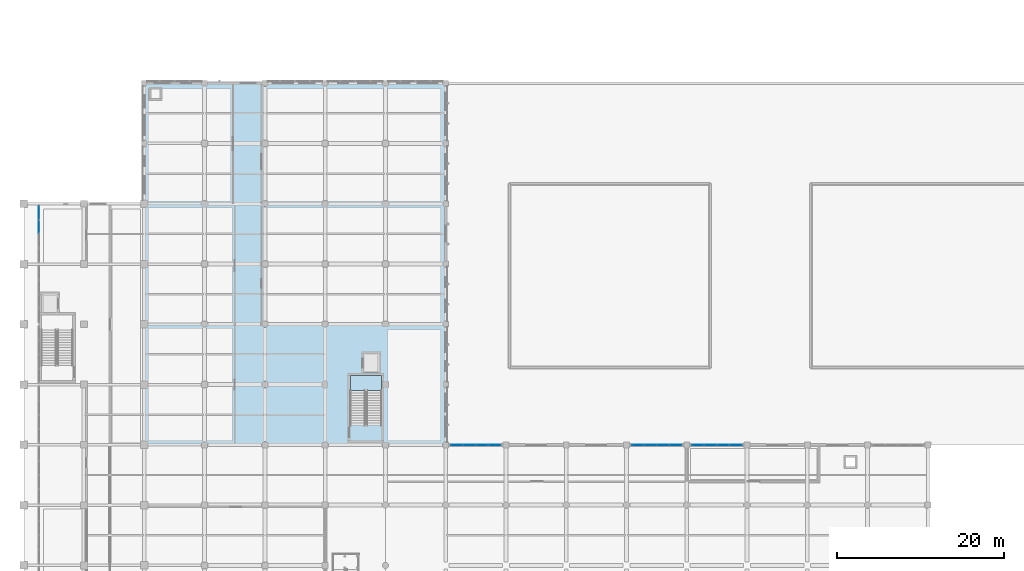
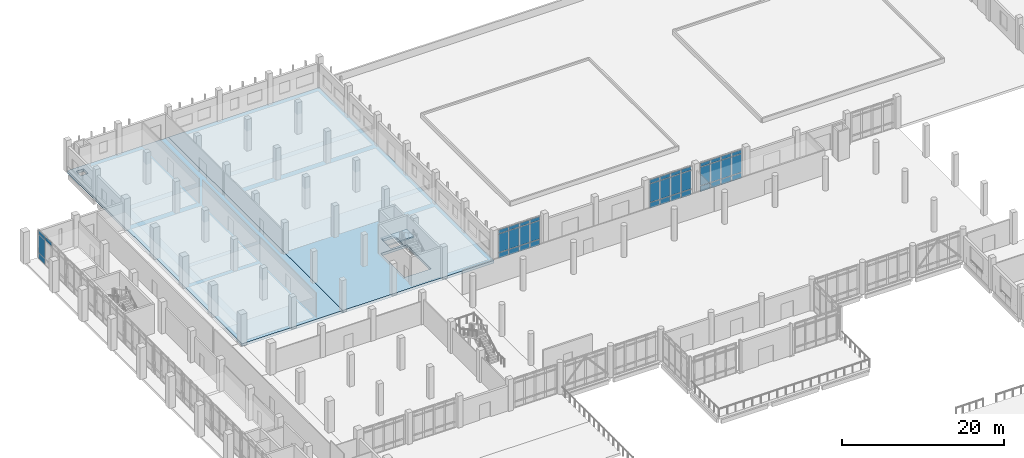
# One storey, part 31 of 59: 40 plates, 3 slabs, 5 elements without a shape of their own.
"""IFC4 building model written with IfcOpenShell, lengths in metres."""

from ifc_helpers import new_model, si_unit, direction, frame, origin, origin_2d, place, context, subcontext, project, spatial, polyline, rectangle, outline, extrude, material, layer, layer_set, type_object, element, aggregate, save


model = new_model("IFC4")

# Units and contexts
model_context = context("Model", 3, precision=1e-05, world=origin(), true_north=direction((0.0, 1.0)))
body_context = subcontext(model_context, "Body", "Model", "MODEL_VIEW")
ifc_project = project(units=[si_unit("LENGTHUNIT", "METRE"), si_unit("AREAUNIT", "SQUARE_METRE"), si_unit("VOLUMEUNIT", "CUBIC_METRE"), si_unit("PLANEANGLEUNIT", "RADIAN"), si_unit("MASSUNIT", "GRAM", prefix="KILO")], contexts=[model_context])

# Site, building, storey
site_placement = place(None, origin())
site = spatial("IfcSite", under=ifc_project, at=site_placement, CompositionType="ELEMENT")
building_placement = place(site_placement, origin())
building = spatial("IfcBuilding", under=site, at=building_placement, Name="Valkovuoma Quantum and Materials Research Institute", CompositionType="ELEMENT")
storey_placement = place(building_placement, origin())
storey = spatial("IfcBuildingStorey", under=building, at=storey_placement, Name="L00", CompositionType="ELEMENT", Elevation=0.0)

# Curtain wall, plates
ifc_material_1 = material(Name="Thermally broken aluminium and triple low-E glazing", Category="aluminium")
ifc_layer_1 = layer(ifc_material_1, 0.219970703125)
ifc_layer_set_1 = layer_set([ifc_layer_1], Name="Thermally broken aluminium and triple low-E glazing")
curtain_wall_type_1 = type_object("IfcCurtainWallType", Name="CW-CW-03", PredefinedType="NOTDEFINED", material=ifc_layer_set_1)
curtain_wall_1_placement = place(storey_placement, origin())
curtain_wall_1 = element("IfcCurtainWall", 1, at=curtain_wall_1_placement, inside=storey, type_object=curtain_wall_type_1, Name="L00 curtain wall 007", PredefinedType="NOTDEFINED")
ifc_material_2 = material(Name="Triple low-E argon insulating glass", Category="glass")
ifc_layer_2 = layer(ifc_material_2, 0.035888671875)
ifc_layer_set_2 = layer_set([ifc_layer_2], Name="Triple low-E argon insulating glass")
plate_type_1 = type_object("IfcPlateType", Name="CWPanel-CWP-01", PredefinedType="CURTAIN_PANEL", material=ifc_layer_set_2)
plate_1_placement = place(storey_placement, frame((1.800048828125, 90.85009765625, 3.78271484375), z_axis=(0.0, 0.0, 1.0), x_axis=(0.0, 1.0, 0.0)))
plate_1 = element("IfcPlate", 2, at=plate_1_placement, type_object=plate_type_1, Name="CW-03 panel 3.3", PredefinedType="CURTAIN_PANEL", context=body_context, shape_type="SweptSolid", body=[
    extrude(rectangle(XDim=1.625, YDim=0.035888671875, at=origin_2d()), origin(), (0.0, 0.0, 1.0), 0.552490234375),
])
plate_2_placement = place(storey_placement, frame((1.800048828125, 92.53125, 0.06494140625), z_axis=(0.0, 0.0, 1.0), x_axis=(0.0, 1.0, 0.0)))
plate_2 = element("IfcPlate", 3, at=plate_2_placement, type_object=plate_type_1, Name="CW-03 panel 4.1", PredefinedType="CURTAIN_PANEL", context=body_context, shape_type="SweptSolid", body=[
    extrude(rectangle(XDim=1.58740234375, YDim=0.035888671875, at=origin_2d()), origin(), (0.0, 0.0, 1.0), 0.8525390625),
])
plate_3_placement = place(storey_placement, frame((1.800048828125, 92.53125, 0.982421875), z_axis=(0.0, 0.0, 1.0), x_axis=(0.0, 1.0, 0.0)))
plate_3 = element("IfcPlate", 4, at=plate_3_placement, type_object=plate_type_1, Name="CW-03 panel 4.2", PredefinedType="CURTAIN_PANEL", context=body_context, shape_type="SweptSolid", body=[
    extrude(rectangle(XDim=1.58740234375, YDim=0.035888671875, at=origin_2d()), origin(), (0.0, 0.0, 1.0), 2.735107421875),
])
plate_4_placement = place(storey_placement, frame((1.800048828125, 92.53125, 3.78271484375), z_axis=(0.0, 0.0, 1.0), x_axis=(0.0, 1.0, 0.0)))
plate_4 = element("IfcPlate", 5, at=plate_4_placement, type_object=plate_type_1, Name="CW-03 panel 4.3", PredefinedType="CURTAIN_PANEL", context=body_context, shape_type="SweptSolid", body=[
    extrude(rectangle(XDim=1.58740234375, YDim=0.035888671875, at=origin_2d()), origin(), (0.0, 0.0, 1.0), 0.552490234375),
])
aggregate(curtain_wall_1, [plate_1, plate_2, plate_3, plate_4])

ifc_material_3 = material(Name="Thermally broken aluminium and triple low-E glazing", Category="aluminium")
ifc_layer_3 = layer(ifc_material_3, 0.219970703125)
ifc_layer_set_3 = layer_set([ifc_layer_3], Name="Thermally broken aluminium and triple low-E glazing")
curtain_wall_type_2 = type_object("IfcCurtainWallType", Name="CW-CW-02", PredefinedType="NOTDEFINED", material=ifc_layer_set_3)
curtain_wall_2_placement = place(storey_placement, origin())
curtain_wall_2 = element("IfcCurtainWall", 6, at=curtain_wall_2_placement, inside=storey, type_object=curtain_wall_type_2, Name="L00 curtain wall 155", PredefinedType="NOTDEFINED")
ifc_material_4 = material(Name="Triple low-E argon insulating glass", Category="glass")
ifc_layer_4 = layer(ifc_material_4, 0.0419921875)
ifc_layer_set_4 = layer_set([ifc_layer_4], Name="Triple low-E argon insulating glass")
plate_type_2 = type_object("IfcPlateType", Name="CWPanel-CWP-02", PredefinedType="CURTAIN_PANEL", material=ifc_layer_set_4)
plate_5_placement = place(storey_placement, frame((51.7548828125, 64.800048828125, 0.074951171875), z_axis=(0.0, 0.0, 1.0), x_axis=(1.0, 0.0, 0.0)))
plate_5 = element("IfcPlate", 7, at=plate_5_placement, type_object=plate_type_2, Name="CW-02 panel 1.1", PredefinedType="CURTAIN_PANEL", context=body_context, shape_type="SweptSolid", body=[
    extrude(rectangle(XDim=1.389892578125, YDim=0.0419921875, at=origin_2d()), origin(), (0.0, 0.0, 1.0), 0.83740234375),
])
plate_6_placement = place(storey_placement, frame((51.7548828125, 64.800048828125, 0.987548828125), z_axis=(0.0, 0.0, 1.0), x_axis=(1.0, 0.0, 0.0)))
plate_6 = element("IfcPlate", 8, at=plate_6_placement, type_object=plate_type_2, Name="CW-02 panel 1.2", PredefinedType="CURTAIN_PANEL", context=body_context, shape_type="SweptSolid", body=[
    extrude(rectangle(XDim=1.389892578125, YDim=0.0419921875, at=origin_2d()), origin(), (0.0, 0.0, 1.0), 2.77490234375),
])
plate_7_placement = place(storey_placement, frame((51.7548828125, 64.800048828125, 3.83740234375), z_axis=(0.0, 0.0, 1.0), x_axis=(1.0, 0.0, 0.0)))
plate_7 = element("IfcPlate", 9, at=plate_7_placement, type_object=plate_type_2, Name="CW-02 panel 1.3", PredefinedType="CURTAIN_PANEL", context=body_context, shape_type="SweptSolid", body=[
    extrude(rectangle(XDim=1.389892578125, YDim=0.0419921875, at=origin_2d()), origin(), (0.0, 0.0, 1.0), 0.53759765625),
])
plate_8_placement = place(storey_placement, frame((53.2451171875, 64.800048828125, 0.074951171875), z_axis=(0.0, 0.0, 1.0), x_axis=(1.0, 0.0, 0.0)))
plate_8 = element("IfcPlate", 10, at=plate_8_placement, type_object=plate_type_2, Name="CW-02 panel 2.1", PredefinedType="CURTAIN_PANEL", context=body_context, shape_type="SweptSolid", body=[
    extrude(rectangle(XDim=1.429931640625, YDim=0.0419921875, at=origin_2d()), origin(), (0.0, 0.0, 1.0), 0.83740234375),
])
plate_9_placement = place(storey_placement, frame((53.2451171875, 64.800048828125, 0.987548828125), z_axis=(0.0, 0.0, 1.0), x_axis=(1.0, 0.0, 0.0)))
plate_9 = element("IfcPlate", 11, at=plate_9_placement, type_object=plate_type_2, Name="CW-02 panel 2.2", PredefinedType="CURTAIN_PANEL", context=body_context, shape_type="SweptSolid", body=[
    extrude(rectangle(XDim=1.429931640625, YDim=0.0419921875, at=origin_2d()), origin(), (0.0, 0.0, 1.0), 2.77490234375),
])
plate_10_placement = place(storey_placement, frame((53.2451171875, 64.800048828125, 3.83740234375), z_axis=(0.0, 0.0, 1.0), x_axis=(1.0, 0.0, 0.0)))
plate_10 = element("IfcPlate", 12, at=plate_10_placement, type_object=plate_type_2, Name="CW-02 panel 2.3", PredefinedType="CURTAIN_PANEL", context=body_context, shape_type="SweptSolid", body=[
    extrude(rectangle(XDim=1.429931640625, YDim=0.0419921875, at=origin_2d()), origin(), (0.0, 0.0, 1.0), 0.53759765625),
])
plate_11_placement = place(storey_placement, frame((54.7548828125, 64.800048828125, 0.074951171875), z_axis=(0.0, 0.0, 1.0), x_axis=(1.0, 0.0, 0.0)))
plate_11 = element("IfcPlate", 13, at=plate_11_placement, type_object=plate_type_2, Name="CW-02 panel 3.1", PredefinedType="CURTAIN_PANEL", context=body_context, shape_type="SweptSolid", body=[
    extrude(rectangle(XDim=1.429931640625, YDim=0.0419921875, at=origin_2d()), origin(), (0.0, 0.0, 1.0), 0.83740234375),
])
plate_12_placement = place(storey_placement, frame((54.7548828125, 64.800048828125, 0.987548828125), z_axis=(0.0, 0.0, 1.0), x_axis=(1.0, 0.0, 0.0)))
plate_12 = element("IfcPlate", 14, at=plate_12_placement, type_object=plate_type_2, Name="CW-02 panel 3.2", PredefinedType="CURTAIN_PANEL", context=body_context, shape_type="SweptSolid", body=[
    extrude(rectangle(XDim=1.429931640625, YDim=0.0419921875, at=origin_2d()), origin(), (0.0, 0.0, 1.0), 2.77490234375),
])
plate_13_placement = place(storey_placement, frame((54.7548828125, 64.800048828125, 3.83740234375), z_axis=(0.0, 0.0, 1.0), x_axis=(1.0, 0.0, 0.0)))
plate_13 = element("IfcPlate", 15, at=plate_13_placement, type_object=plate_type_2, Name="CW-02 panel 3.3", PredefinedType="CURTAIN_PANEL", context=body_context, shape_type="SweptSolid", body=[
    extrude(rectangle(XDim=1.429931640625, YDim=0.0419921875, at=origin_2d()), origin(), (0.0, 0.0, 1.0), 0.53759765625),
])
plate_14_placement = place(storey_placement, frame((56.2451171875, 64.800048828125, 0.074951171875), z_axis=(0.0, 0.0, 1.0), x_axis=(1.0, 0.0, 0.0)))
plate_14 = element("IfcPlate", 16, at=plate_14_placement, type_object=plate_type_2, Name="CW-02 panel 4.1", PredefinedType="CURTAIN_PANEL", context=body_context, shape_type="SweptSolid", body=[
    extrude(rectangle(XDim=1.389892578125, YDim=0.0419921875, at=origin_2d()), origin(), (0.0, 0.0, 1.0), 0.83740234375),
])
plate_15_placement = place(storey_placement, frame((56.2451171875, 64.800048828125, 0.987548828125), z_axis=(0.0, 0.0, 1.0), x_axis=(1.0, 0.0, 0.0)))
plate_15 = element("IfcPlate", 17, at=plate_15_placement, type_object=plate_type_2, Name="CW-02 panel 4.2", PredefinedType="CURTAIN_PANEL", context=body_context, shape_type="SweptSolid", body=[
    extrude(rectangle(XDim=1.389892578125, YDim=0.0419921875, at=origin_2d()), origin(), (0.0, 0.0, 1.0), 2.77490234375),
])
plate_16_placement = place(storey_placement, frame((56.2451171875, 64.800048828125, 3.83740234375), z_axis=(0.0, 0.0, 1.0), x_axis=(1.0, 0.0, 0.0)))
plate_16 = element("IfcPlate", 18, at=plate_16_placement, type_object=plate_type_2, Name="CW-02 panel 4.3", PredefinedType="CURTAIN_PANEL", context=body_context, shape_type="SweptSolid", body=[
    extrude(rectangle(XDim=1.389892578125, YDim=0.0419921875, at=origin_2d()), origin(), (0.0, 0.0, 1.0), 0.53759765625),
])
aggregate(curtain_wall_2, [plate_5, plate_6, plate_7, plate_8, plate_9, plate_10, plate_11, plate_12, plate_13, plate_14, plate_15, plate_16])

curtain_wall_3_placement = place(storey_placement, origin())
curtain_wall_3 = element("IfcCurtainWall", 19, at=curtain_wall_3_placement, inside=storey, type_object=curtain_wall_type_2, Name="L00 curtain wall 156", PredefinedType="NOTDEFINED")
plate_17_placement = place(storey_placement, frame((73.35498046875, 64.800048828125, 0.074951171875), z_axis=(0.0, 0.0, 1.0), x_axis=(1.0, 0.0, 0.0)))
plate_17 = element("IfcPlate", 20, at=plate_17_placement, type_object=plate_type_2, Name="CW-02 panel 1.1", PredefinedType="CURTAIN_PANEL", context=body_context, shape_type="SweptSolid", body=[
    extrude(rectangle(XDim=1.389892578125, YDim=0.0419921875, at=origin_2d()), origin(), (0.0, 0.0, 1.0), 0.83740234375),
])
plate_18_placement = place(storey_placement, frame((73.35498046875, 64.800048828125, 0.987548828125), z_axis=(0.0, 0.0, 1.0), x_axis=(1.0, 0.0, 0.0)))
plate_18 = element("IfcPlate", 21, at=plate_18_placement, type_object=plate_type_2, Name="CW-02 panel 1.2", PredefinedType="CURTAIN_PANEL", context=body_context, shape_type="SweptSolid", body=[
    extrude(rectangle(XDim=1.389892578125, YDim=0.0419921875, at=origin_2d()), origin(), (0.0, 0.0, 1.0), 2.77490234375),
])
plate_19_placement = place(storey_placement, frame((73.35498046875, 64.800048828125, 3.83740234375), z_axis=(0.0, 0.0, 1.0), x_axis=(1.0, 0.0, 0.0)))
plate_19 = element("IfcPlate", 22, at=plate_19_placement, type_object=plate_type_2, Name="CW-02 panel 1.3", PredefinedType="CURTAIN_PANEL", context=body_context, shape_type="SweptSolid", body=[
    extrude(rectangle(XDim=1.389892578125, YDim=0.0419921875, at=origin_2d()), origin(), (0.0, 0.0, 1.0), 0.53759765625),
])
plate_20_placement = place(storey_placement, frame((74.844970703125, 64.800048828125, 0.074951171875), z_axis=(0.0, 0.0, 1.0), x_axis=(1.0, 0.0, 0.0)))
plate_20 = element("IfcPlate", 23, at=plate_20_placement, type_object=plate_type_2, Name="CW-02 panel 2.1", PredefinedType="CURTAIN_PANEL", context=body_context, shape_type="SweptSolid", body=[
    extrude(rectangle(XDim=1.429931640625, YDim=0.0419921875, at=origin_2d()), origin(), (0.0, 0.0, 1.0), 0.83740234375),
])
plate_21_placement = place(storey_placement, frame((74.844970703125, 64.800048828125, 0.987548828125), z_axis=(0.0, 0.0, 1.0), x_axis=(1.0, 0.0, 0.0)))
plate_21 = element("IfcPlate", 24, at=plate_21_placement, type_object=plate_type_2, Name="CW-02 panel 2.2", PredefinedType="CURTAIN_PANEL", context=body_context, shape_type="SweptSolid", body=[
    extrude(rectangle(XDim=1.429931640625, YDim=0.0419921875, at=origin_2d()), origin(), (0.0, 0.0, 1.0), 2.77490234375),
])
plate_22_placement = place(storey_placement, frame((74.844970703125, 64.800048828125, 3.83740234375), z_axis=(0.0, 0.0, 1.0), x_axis=(1.0, 0.0, 0.0)))
plate_22 = element("IfcPlate", 25, at=plate_22_placement, type_object=plate_type_2, Name="CW-02 panel 2.3", PredefinedType="CURTAIN_PANEL", context=body_context, shape_type="SweptSolid", body=[
    extrude(rectangle(XDim=1.429931640625, YDim=0.0419921875, at=origin_2d()), origin(), (0.0, 0.0, 1.0), 0.53759765625),
])
plate_23_placement = place(storey_placement, frame((76.35498046875, 64.800048828125, 0.074951171875), z_axis=(0.0, 0.0, 1.0), x_axis=(1.0, 0.0, 0.0)))
plate_23 = element("IfcPlate", 26, at=plate_23_placement, type_object=plate_type_2, Name="CW-02 panel 3.1", PredefinedType="CURTAIN_PANEL", context=body_context, shape_type="SweptSolid", body=[
    extrude(rectangle(XDim=1.429931640625, YDim=0.0419921875, at=origin_2d()), origin(), (0.0, 0.0, 1.0), 0.83740234375),
])
plate_24_placement = place(storey_placement, frame((76.35498046875, 64.800048828125, 0.987548828125), z_axis=(0.0, 0.0, 1.0), x_axis=(1.0, 0.0, 0.0)))
plate_24 = element("IfcPlate", 27, at=plate_24_placement, type_object=plate_type_2, Name="CW-02 panel 3.2", PredefinedType="CURTAIN_PANEL", context=body_context, shape_type="SweptSolid", body=[
    extrude(rectangle(XDim=1.429931640625, YDim=0.0419921875, at=origin_2d()), origin(), (0.0, 0.0, 1.0), 2.77490234375),
])
plate_25_placement = place(storey_placement, frame((76.35498046875, 64.800048828125, 3.83740234375), z_axis=(0.0, 0.0, 1.0), x_axis=(1.0, 0.0, 0.0)))
plate_25 = element("IfcPlate", 28, at=plate_25_placement, type_object=plate_type_2, Name="CW-02 panel 3.3", PredefinedType="CURTAIN_PANEL", context=body_context, shape_type="SweptSolid", body=[
    extrude(rectangle(XDim=1.429931640625, YDim=0.0419921875, at=origin_2d()), origin(), (0.0, 0.0, 1.0), 0.53759765625),
])
plate_26_placement = place(storey_placement, frame((77.844970703125, 64.800048828125, 0.074951171875), z_axis=(0.0, 0.0, 1.0), x_axis=(1.0, 0.0, 0.0)))
plate_26 = element("IfcPlate", 29, at=plate_26_placement, type_object=plate_type_2, Name="CW-02 panel 4.1", PredefinedType="CURTAIN_PANEL", context=body_context, shape_type="SweptSolid", body=[
    extrude(rectangle(XDim=1.389892578125, YDim=0.0419921875, at=origin_2d()), origin(), (0.0, 0.0, 1.0), 0.83740234375),
])
plate_27_placement = place(storey_placement, frame((77.844970703125, 64.800048828125, 0.987548828125), z_axis=(0.0, 0.0, 1.0), x_axis=(1.0, 0.0, 0.0)))
plate_27 = element("IfcPlate", 30, at=plate_27_placement, type_object=plate_type_2, Name="CW-02 panel 4.2", PredefinedType="CURTAIN_PANEL", context=body_context, shape_type="SweptSolid", body=[
    extrude(rectangle(XDim=1.389892578125, YDim=0.0419921875, at=origin_2d()), origin(), (0.0, 0.0, 1.0), 2.77490234375),
])
plate_28_placement = place(storey_placement, frame((77.844970703125, 64.800048828125, 3.83740234375), z_axis=(0.0, 0.0, 1.0), x_axis=(1.0, 0.0, 0.0)))
plate_28 = element("IfcPlate", 31, at=plate_28_placement, type_object=plate_type_2, Name="CW-02 panel 4.3", PredefinedType="CURTAIN_PANEL", context=body_context, shape_type="SweptSolid", body=[
    extrude(rectangle(XDim=1.389892578125, YDim=0.0419921875, at=origin_2d()), origin(), (0.0, 0.0, 1.0), 0.53759765625),
])
aggregate(curtain_wall_3, [plate_17, plate_18, plate_19, plate_20, plate_21, plate_22, plate_23, plate_24, plate_25, plate_26, plate_27, plate_28])

curtain_wall_4_placement = place(storey_placement, origin())
curtain_wall_4 = element("IfcCurtainWall", 32, at=curtain_wall_4_placement, inside=storey, type_object=curtain_wall_type_2, Name="L00 curtain wall 157", PredefinedType="NOTDEFINED")
plate_29_placement = place(storey_placement, frame((80.554931640625, 64.800048828125, 0.074951171875), z_axis=(0.0, 0.0, 1.0), x_axis=(1.0, 0.0, 0.0)))
plate_29 = element("IfcPlate", 33, at=plate_29_placement, type_object=plate_type_2, Name="CW-02 panel 1.1", PredefinedType="CURTAIN_PANEL", context=body_context, shape_type="SweptSolid", body=[
    extrude(rectangle(XDim=1.389892578125, YDim=0.0419921875, at=origin_2d()), origin(), (0.0, 0.0, 1.0), 0.83740234375),
])
plate_30_placement = place(storey_placement, frame((80.554931640625, 64.800048828125, 0.987548828125), z_axis=(0.0, 0.0, 1.0), x_axis=(1.0, 0.0, 0.0)))
plate_30 = element("IfcPlate", 34, at=plate_30_placement, type_object=plate_type_2, Name="CW-02 panel 1.2", PredefinedType="CURTAIN_PANEL", context=body_context, shape_type="SweptSolid", body=[
    extrude(rectangle(XDim=1.389892578125, YDim=0.0419921875, at=origin_2d()), origin(), (0.0, 0.0, 1.0), 2.77490234375),
])
plate_31_placement = place(storey_placement, frame((80.554931640625, 64.800048828125, 3.83740234375), z_axis=(0.0, 0.0, 1.0), x_axis=(1.0, 0.0, 0.0)))
plate_31 = element("IfcPlate", 35, at=plate_31_placement, type_object=plate_type_2, Name="CW-02 panel 1.3", PredefinedType="CURTAIN_PANEL", context=body_context, shape_type="SweptSolid", body=[
    extrude(rectangle(XDim=1.389892578125, YDim=0.0419921875, at=origin_2d()), origin(), (0.0, 0.0, 1.0), 0.53759765625),
])
plate_32_placement = place(storey_placement, frame((82.044921875, 64.800048828125, 0.074951171875), z_axis=(0.0, 0.0, 1.0), x_axis=(1.0, 0.0, 0.0)))
plate_32 = element("IfcPlate", 36, at=plate_32_placement, type_object=plate_type_2, Name="CW-02 panel 2.1", PredefinedType="CURTAIN_PANEL", context=body_context, shape_type="SweptSolid", body=[
    extrude(rectangle(XDim=1.429931640625, YDim=0.0419921875, at=origin_2d()), origin(), (0.0, 0.0, 1.0), 0.83740234375),
])
plate_33_placement = place(storey_placement, frame((82.044921875, 64.800048828125, 0.987548828125), z_axis=(0.0, 0.0, 1.0), x_axis=(1.0, 0.0, 0.0)))
plate_33 = element("IfcPlate", 37, at=plate_33_placement, type_object=plate_type_2, Name="CW-02 panel 2.2", PredefinedType="CURTAIN_PANEL", context=body_context, shape_type="SweptSolid", body=[
    extrude(rectangle(XDim=1.429931640625, YDim=0.0419921875, at=origin_2d()), origin(), (0.0, 0.0, 1.0), 2.77490234375),
])
plate_34_placement = place(storey_placement, frame((82.044921875, 64.800048828125, 3.83740234375), z_axis=(0.0, 0.0, 1.0), x_axis=(1.0, 0.0, 0.0)))
plate_34 = element("IfcPlate", 38, at=plate_34_placement, type_object=plate_type_2, Name="CW-02 panel 2.3", PredefinedType="CURTAIN_PANEL", context=body_context, shape_type="SweptSolid", body=[
    extrude(rectangle(XDim=1.429931640625, YDim=0.0419921875, at=origin_2d()), origin(), (0.0, 0.0, 1.0), 0.53759765625),
])
plate_35_placement = place(storey_placement, frame((83.554931640625, 64.800048828125, 0.074951171875), z_axis=(0.0, 0.0, 1.0), x_axis=(1.0, 0.0, 0.0)))
plate_35 = element("IfcPlate", 39, at=plate_35_placement, type_object=plate_type_2, Name="CW-02 panel 3.1", PredefinedType="CURTAIN_PANEL", context=body_context, shape_type="SweptSolid", body=[
    extrude(rectangle(XDim=1.429931640625, YDim=0.0419921875, at=origin_2d()), origin(), (0.0, 0.0, 1.0), 0.83740234375),
])
plate_36_placement = place(storey_placement, frame((83.554931640625, 64.800048828125, 0.987548828125), z_axis=(0.0, 0.0, 1.0), x_axis=(1.0, 0.0, 0.0)))
plate_36 = element("IfcPlate", 40, at=plate_36_placement, type_object=plate_type_2, Name="CW-02 panel 3.2", PredefinedType="CURTAIN_PANEL", context=body_context, shape_type="SweptSolid", body=[
    extrude(rectangle(XDim=1.429931640625, YDim=0.0419921875, at=origin_2d()), origin(), (0.0, 0.0, 1.0), 2.77490234375),
])
plate_37_placement = place(storey_placement, frame((83.554931640625, 64.800048828125, 3.83740234375), z_axis=(0.0, 0.0, 1.0), x_axis=(1.0, 0.0, 0.0)))
plate_37 = element("IfcPlate", 41, at=plate_37_placement, type_object=plate_type_2, Name="CW-02 panel 3.3", PredefinedType="CURTAIN_PANEL", context=body_context, shape_type="SweptSolid", body=[
    extrude(rectangle(XDim=1.429931640625, YDim=0.0419921875, at=origin_2d()), origin(), (0.0, 0.0, 1.0), 0.53759765625),
])
plate_38_placement = place(storey_placement, frame((85.044921875, 64.800048828125, 0.074951171875), z_axis=(0.0, 0.0, 1.0), x_axis=(1.0, 0.0, 0.0)))
plate_38 = element("IfcPlate", 42, at=plate_38_placement, type_object=plate_type_2, Name="CW-02 panel 4.1", PredefinedType="CURTAIN_PANEL", context=body_context, shape_type="SweptSolid", body=[
    extrude(rectangle(XDim=1.389892578125, YDim=0.0419921875, at=origin_2d()), origin(), (0.0, 0.0, 1.0), 0.83740234375),
])
plate_39_placement = place(storey_placement, frame((85.044921875, 64.800048828125, 0.987548828125), z_axis=(0.0, 0.0, 1.0), x_axis=(1.0, 0.0, 0.0)))
plate_39 = element("IfcPlate", 43, at=plate_39_placement, type_object=plate_type_2, Name="CW-02 panel 4.2", PredefinedType="CURTAIN_PANEL", context=body_context, shape_type="SweptSolid", body=[
    extrude(rectangle(XDim=1.389892578125, YDim=0.0419921875, at=origin_2d()), origin(), (0.0, 0.0, 1.0), 2.77490234375),
])
plate_40_placement = place(storey_placement, frame((85.044921875, 64.800048828125, 3.83740234375), z_axis=(0.0, 0.0, 1.0), x_axis=(1.0, 0.0, 0.0)))
plate_40 = element("IfcPlate", 44, at=plate_40_placement, type_object=plate_type_2, Name="CW-02 panel 4.3", PredefinedType="CURTAIN_PANEL", context=body_context, shape_type="SweptSolid", body=[
    extrude(rectangle(XDim=1.389892578125, YDim=0.0419921875, at=origin_2d()), origin(), (0.0, 0.0, 1.0), 0.53759765625),
])
aggregate(curtain_wall_4, [plate_29, plate_30, plate_31, plate_32, plate_33, plate_34, plate_35, plate_36, plate_37, plate_38, plate_39, plate_40])

# Slabs
ifc_material_5 = material(Name="Concrete C40/50", Category="concrete")
ifc_layer_5 = layer(ifc_material_5, 0.39990234375)
ifc_layer_set_5 = layer_set([ifc_layer_5], Name="Concrete C40/50")
slab_type_1 = type_object("IfcSlabType", Name="Slab-SL-FL400", PredefinedType="FLOOR", material=ifc_layer_set_5)
slab_1_placement = place(storey_placement, frame((0.0, 0.0, -0.39990234375)))
element("IfcSlab", 45, at=slab_1_placement, inside=storey, type_object=slab_type_1, Name="L00 vol3_cleanroom structural slab 1", PredefinedType="FLOOR", context=body_context, shape_type="SweptSolid", body=[
    extrude(outline(polyline([(14.39990234375, 64.800048828125), (28.800048828125, 64.800048828125), (28.800048828125, 108.0), (14.39990234375, 108.0), (14.39990234375, 64.800048828125)]), holes=[polyline([(15.199951171875, 106.199951171875), (16.300048828125, 106.199951171875), (16.300048828125, 107.300048828125), (15.199951171875, 107.300048828125), (15.199951171875, 106.199951171875)])]), origin(), (0.0, 0.0, 1.0), 0.39990234375),
])
slab_2_placement = place(storey_placement, frame((0.0, 0.0, -0.39990234375)))
element("IfcSlab", 46, at=slab_2_placement, inside=storey, type_object=slab_type_1, Name="L00 vol3_cleanroom structural slab 2", PredefinedType="FLOOR", context=body_context, shape_type="SweptSolid", body=[
    extrude(outline(polyline([(28.800048828125, 64.800048828125), (50.39990234375, 64.800048828125), (50.39990234375, 108.0), (28.800048828125, 108.0), (28.800048828125, 64.800048828125)]), holes=[polyline([(39.0, 67.159912109375), (42.75, 67.159912109375), (42.75, 73.10009765625), (39.0, 73.10009765625), (39.0, 67.159912109375)]), polyline([(40.6201171875, 73.419921875), (42.3798828125, 73.419921875), (42.3798828125, 75.679931640625), (40.6201171875, 75.679931640625), (40.6201171875, 73.419921875)])]), origin(), (0.0, 0.0, 1.0), 0.39990234375),
])

# Stair, slab
ifc_material_6 = material(Name="Concrete C40/50", Category="concrete")
stair_type = type_object("IfcStairType", Name="Stair-ST-COR", PredefinedType="HALF_TURN_STAIR", material=ifc_material_6)
stair_placement = place(storey_placement, origin())
stair = element("IfcStair", 47, at=stair_placement, inside=storey, type_object=stair_type, Name="L00 Exit Stair ST-4", PredefinedType="HALF_TURN_STAIR")
ifc_material_7 = material(Name="Concrete C40/50", Category="concrete")
ifc_layer_6 = layer(ifc_material_7, 0.199951171875)
ifc_layer_set_6 = layer_set([ifc_layer_6], Name="Concrete C40/50")
slab_type_2 = type_object("IfcSlabType", Name="Slab-SL-LND200", PredefinedType="LANDING", material=ifc_layer_set_6)
slab_3_placement = place(storey_placement, frame((0.0, 0.0, 2.199951171875)))
slab_3 = element("IfcSlab", 48, at=slab_3_placement, type_object=slab_type_2, Name="ST-4 landing 1", PredefinedType="LANDING", context=body_context, shape_type="SweptSolid", body=[
    extrude(outline(polyline([(42.75, 71.300048828125), (42.75, 73.10009765625), (39.0, 73.10009765625), (39.0, 71.300048828125), (42.75, 71.300048828125)])), origin(), (0.0, 0.0, 1.0), 0.199951171875),
])
aggregate(stair, [slab_3])

save(model, "model.ifc")
